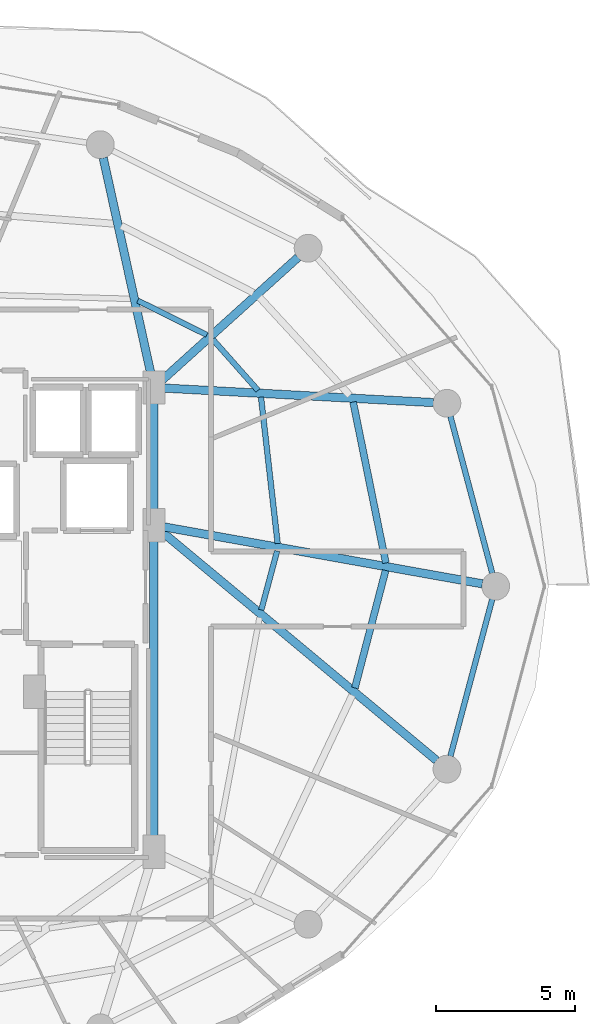
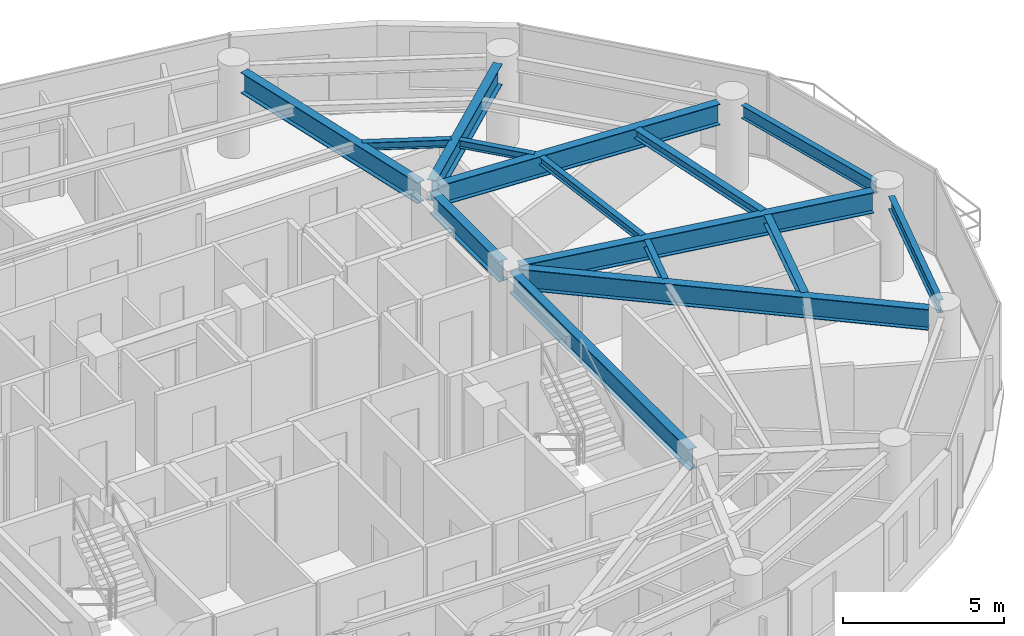
# One storey, part 12 of 28: 15 beams.
"""IFC4 building model written with IfcOpenShell, lengths in metres."""

import ifcopenshell
import ifcopenshell.guid

model = None  # the IFC model being written
_history = None  # IfcOwnerHistory: only IFC2X3 demands one
_inside = {}  # id of a spatial element -> (the spatial element, [elements in it])
_under = {}  # id of a project, library or spatial element -> (it, [spatial elements below it])
_declared = {}  # id of a project -> (the project, [libraries it declares])
_typed = {}  # id of a type object -> (the type object, [elements of that type])
_made_of = {}  # id of a material, layer set ... -> (it, [elements and type objects made of it])


def new_model(schema):
    """Start an empty IFC model of exactly this schema.

    Asked for "IFC4X3", IfcOpenShell would pick the latest addendum, in which some entities
    have other attributes; the version numbers below select the first issue.
    IFC2X3 requires an IfcOwnerHistory on every rooted entity: one is made here for all.
    """
    global model, _history
    if schema == "IFC4X3":
        model = ifcopenshell.file(schema_version=(4, 3, 0, 0))
    else:
        model = ifcopenshell.file(schema=schema)
    _inside.clear()
    _under.clear()
    _declared.clear()
    _typed.clear()
    _made_of.clear()
    _history = None
    if model.schema == "IFC2X3":
        org = make("IfcOrganization", Name="unknown")
        user = make(
            "IfcPersonAndOrganization",
            ThePerson=make("IfcPerson", FamilyName="unknown"),
            TheOrganization=org,
        )
        app = make(
            "IfcApplication",
            ApplicationDeveloper=org,
            Version="unknown",
            ApplicationFullName="unknown",
            ApplicationIdentifier="unknown",
        )
        _history = make(
            "IfcOwnerHistory",
            OwningUser=user,
            OwningApplication=app,
            ChangeAction="ADDED",
            CreationDate=0,
        )
    return model


def make(cls, **values):
    """One entity of the class cls with the attributes given. An attribute that is None is left unset."""
    return model.create_entity(
        cls, **{name: value for name, value in values.items() if value is not None}
    )


def rooted(cls, **values):
    """An entity with a GlobalId (a new one), such as an element, a storey or a relation."""
    return make(cls, GlobalId=ifcopenshell.guid.new(), OwnerHistory=_history, **values)


def si_unit(unit_type, name, prefix=None):
    """IfcSIUnit, for example si_unit("LENGTHUNIT", "METRE", prefix="MILLI")."""
    return make("IfcSIUnit", UnitType=unit_type, Prefix=prefix, Name=name)


def assignment(units):
    """IfcUnitAssignment: the units of a project."""
    return None if units is None else make("IfcUnitAssignment", Units=units)


def point(xyz):
    """IfcCartesianPoint."""
    return None if xyz is None else make("IfcCartesianPoint", Coordinates=xyz)


def direction(xyz):
    """IfcDirection."""
    return None if xyz is None else make("IfcDirection", DirectionRatios=xyz)


def frame(location, z_axis=None, x_axis=None):
    """IfcAxis2Placement3D, a coordinate frame: its origin and axes. An axis left out is left unset."""
    return make(
        "IfcAxis2Placement3D",
        Location=point(location),
        Axis=direction(z_axis),
        RefDirection=direction(x_axis),
    )


def frame_2d(location, x_axis=None):
    """IfcAxis2Placement2D, a coordinate frame in the plane: its origin and x axis."""
    return make(
        "IfcAxis2Placement2D", Location=point(location), RefDirection=direction(x_axis)
    )


def origin():
    """The frame at (0, 0, 0) with its axes left unset."""
    return frame((0.0, 0.0, 0.0))


def origin_2d():
    """The frame at (0, 0) in the plane with its x axis left unset."""
    return frame_2d((0.0, 0.0))


def place(relative_to, where):
    """IfcLocalPlacement: puts the frame where relative to a parent placement (None: the world)."""
    return make(
        "IfcLocalPlacement", PlacementRelTo=relative_to, RelativePlacement=where
    )


def context(
    kind, dimensions, precision=None, world=None, true_north=None, identifier=None
):
    """IfcGeometricRepresentationContext, for example the 3D "Model" context."""
    return make(
        "IfcGeometricRepresentationContext",
        ContextIdentifier=identifier,
        ContextType=kind,
        CoordinateSpaceDimension=dimensions,
        Precision=precision,
        WorldCoordinateSystem=world,
        TrueNorth=true_north,
    )


def subcontext(parent, identifier, kind, view, scale=None):
    """IfcGeometricRepresentationSubContext, for example "Body" below "Model"."""
    return make(
        "IfcGeometricRepresentationSubContext",
        ContextIdentifier=identifier,
        ContextType=kind,
        ParentContext=parent,
        TargetScale=scale,
        TargetView=view,
    )


def project(units=None, contexts=None):
    """IfcProject with its units and contexts."""
    return rooted(
        "IfcProject",
        Name="project",
        RepresentationContexts=contexts,
        UnitsInContext=assignment(units),
    )


def spatial(cls, under=None, at=None, **own):
    """A site, building, storey or space (cls), placed at a placement, below another one or the project."""
    s = rooted(cls, ObjectPlacement=at, **own)
    if under is not None:
        _under.setdefault(under.id(), (under, []))[1].append(s)
    return s


def profile(cls, at=None, kind="AREA", **sizes):
    """A parametric profile (cls). Its sizes go by their IFC names, for example OverallWidth=200.0."""
    return make(cls, ProfileType=kind, Position=at, **sizes)


def i_section(**sizes):
    """IfcIShapeProfileDef."""
    return profile("IfcIShapeProfileDef", **sizes)


def extrude(swept, where, along, depth):
    """IfcExtrudedAreaSolid: the profile swept, set in the frame where, extruded along a direction by depth."""
    return make(
        "IfcExtrudedAreaSolid",
        SweptArea=swept,
        Position=where,
        ExtrudedDirection=direction(along),
        Depth=depth,
    )


def shape(context_of_items, identifier, shape_type, items):
    """IfcShapeRepresentation: the items that make up one representation, for example the "Body"."""
    return make(
        "IfcShapeRepresentation",
        ContextOfItems=context_of_items,
        RepresentationIdentifier=identifier,
        RepresentationType=shape_type,
        Items=items,
    )


def material(Name=None, Category=None):
    """IfcMaterial."""
    return make("IfcMaterial", Name=Name, Category=Category)


def material_profile(
    of_material, cross_section, Name=None, Category=None, Priority=None
):
    """IfcMaterialProfile: a cross section and its material."""
    return make(
        "IfcMaterialProfile",
        Name=Name,
        Material=of_material,
        Profile=cross_section,
        Priority=Priority,
        Category=Category,
    )


def profile_set(profiles, Name=None, composite=None):
    """IfcMaterialProfileSet."""
    return make(
        "IfcMaterialProfileSet",
        Name=Name,
        MaterialProfiles=profiles,
        CompositeProfile=composite,
    )


def made_of(thing, what):
    """Note that an element or type object is made of a material, layer set ...; save() writes the relation."""
    if what is not None:
        _made_of.setdefault(what.id(), (what, []))[1].append(thing)
    return thing


def type_object(cls, material=None, **own):
    """A type object (cls), such as IfcWallType, which elements share."""
    return made_of(rooted(cls, **own), material)


def element(
    cls,
    number,
    at=None,
    inside=None,
    cuts=None,
    type_object=None,
    material=None,
    context=None,
    identifier="Body",
    shape_type=None,
    held_by="IfcProductDefinitionShape",
    body=None,
    shapes=None,
    **own,
):
    """One element of the class cls, such as IfcWall. Its Tag is "e" and its number.

    at: its placement. inside: the storey or other place that contains it. cuts: it is an
    opening in that element (IfcRelVoidsElement). A single representation is given by context,
    identifier, shape_type and body (its items); several are given by shapes. held_by: the class
    of the entity that holds the representations. save() writes the other relations.
    """
    e = rooted(cls, Tag="e%d" % number, ObjectPlacement=at, **own)
    if body is not None:
        shapes = [shape(context, identifier, shape_type, body)]
    if shapes is not None:
        e.Representation = make(held_by, Representations=shapes)
    if inside is not None:
        _inside.setdefault(inside.id(), (inside, []))[1].append(e)
    if cuts is not None:
        rooted(
            "IfcRelVoidsElement", RelatingBuildingElement=cuts, RelatedOpeningElement=e
        )
    if type_object is not None:
        _typed.setdefault(type_object.id(), (type_object, []))[1].append(e)
    return made_of(e, material)


def aggregate(whole, parts):
    """IfcRelAggregates: a whole, such as a stair, and the parts it consists of."""
    return rooted("IfcRelAggregates", RelatingObject=whole, RelatedObjects=parts)


def save(model, path):
    """Write the relations noted so far, then the file.

    IfcRelAggregates (storeys below a building ...), IfcRelContainedInSpatialStructure (elements
    in a storey), IfcRelDefinesByType, IfcRelAssociatesMaterial and IfcRelDeclares: one each for
    every whole, place, type object, material and project.
    """
    for whole, parts in _under.values():
        aggregate(whole, parts)
    for where, things in _inside.values():
        rooted(
            "IfcRelContainedInSpatialStructure",
            RelatedElements=things,
            RelatingStructure=where,
        )
    for kind, things in _typed.values():
        rooted("IfcRelDefinesByType", RelatedObjects=things, RelatingType=kind)
    for what, things in _made_of.values():
        rooted("IfcRelAssociatesMaterial", RelatedObjects=things, RelatingMaterial=what)
    for by, libraries in _declared.values():
        rooted("IfcRelDeclares", RelatingContext=by, RelatedDefinitions=libraries)
    model.write(path)


model = new_model("IFC4")

# Units and contexts
model_context = context("Model", 3, precision=1e-05, world=origin(), true_north=direction((0.0, 1.0)))
body_context = subcontext(model_context, "Body", "Model", "MODEL_VIEW")
ifc_project = project(units=[si_unit("LENGTHUNIT", "METRE"), si_unit("AREAUNIT", "SQUARE_METRE"), si_unit("VOLUMEUNIT", "CUBIC_METRE"), si_unit("PLANEANGLEUNIT", "RADIAN"), si_unit("MASSUNIT", "GRAM", prefix="KILO")], contexts=[model_context])

# Site, building, storey
site_placement = place(None, origin())
site = spatial("IfcSite", under=ifc_project, at=site_placement, CompositionType="ELEMENT")
building_placement = place(site_placement, origin())
building = spatial("IfcBuilding", under=site, at=building_placement, Name="Vorneva Point Tower", CompositionType="ELEMENT")
storey_placement = place(building_placement, frame((0.0, 0.0, 160.60009765625)))
storey = spatial("IfcBuildingStorey", under=building, at=storey_placement, Name="L43", CompositionType="ELEMENT", Elevation=160.60009765625)

# Beams
ifc_material = material(Name="Steel S355", Category="steel")
ifc_material_profile_1 = material_profile(ifc_material, i_section(OverallWidth=0.300048828125, OverallDepth=0.7880859375, WebThickness=0.014404296875, FlangeThickness=0.02197265625, at=origin_2d()), Name="80Sh1")
ifc_profile_set_1 = profile_set([ifc_material_profile_1], Name="Steel S355")
beam_type_1 = type_object("IfcBeamType", Name="BM-GRD-80Sh1", PredefinedType="USERDEFINED", material=ifc_profile_set_1)
beam_1_placement = place(storey_placement, frame((60.569580078125, 26.0859375, 2.845947265625), z_axis=(-0.984378132756, 0.176067293249, 0.0), x_axis=(-0.176067293249, -0.984378132756, 0.0)))
element("IfcBeam", 1, at=beam_1_placement, inside=storey, type_object=beam_type_1, Name="L43 Radial Primary Girder 01", ObjectType="GIRDER", PredefinedType="USERDEFINED", context=body_context, shape_type="SweptSolid", body=[
    extrude(i_section(OverallWidth=0.300048828125, OverallDepth=0.7880859375, WebThickness=0.014404296875, FlangeThickness=0.02197265625, at=origin_2d()), origin(), (0.0, 0.0, 1.0), 11.667236328125),
])
beam_2_placement = place(storey_placement, frame((58.80810546875, 32.6083984375, 2.845947265625), z_axis=(-0.998554051908, 0.053756910424, 0.0), x_axis=(-0.053756910424, -0.998554051908, 0.0)))
element("IfcBeam", 2, at=beam_2_placement, inside=storey, type_object=beam_type_1, Name="L43 Radial Primary Girder 02", ObjectType="GIRDER", PredefinedType="USERDEFINED", context=body_context, shape_type="SweptSolid", body=[
    extrude(i_section(OverallWidth=0.300048828125, OverallDepth=0.7880859375, WebThickness=0.014404296875, FlangeThickness=0.02197265625, at=origin_2d()), origin(), (0.0, 0.0, 1.0), 9.732666015625),
])
beam_3_placement = place(storey_placement, frame((53.936767578125, 37.835205078125, 2.845947265625), z_axis=(-0.742084379637, -0.670306477292, 0.0), x_axis=(0.670306477292, -0.742084379637, 0.0)))
element("IfcBeam", 3, at=beam_3_placement, inside=storey, type_object=beam_type_1, Name="L43 Radial Primary Girder 03", ObjectType="GIRDER", PredefinedType="USERDEFINED", context=body_context, shape_type="SweptSolid", body=[
    extrude(i_section(OverallWidth=0.300048828125, OverallDepth=0.7880859375, WebThickness=0.014404296875, FlangeThickness=0.02197265625, at=origin_2d()), origin(), (0.0, 0.0, 1.0), 6.649658203125),
])
beam_4_placement = place(storey_placement, frame((46.926025390625, 41.414306640625, 2.845947265625), z_axis=(0.215520500859, -0.976499315775, 0.0), x_axis=(0.976499315775, 0.215520500859, 0.0)))
element("IfcBeam", 4, at=beam_4_placement, inside=storey, type_object=beam_type_1, Name="L43 Radial Primary Girder 04", ObjectType="GIRDER", PredefinedType="USERDEFINED", context=body_context, shape_type="SweptSolid", body=[
    extrude(i_section(OverallWidth=0.300048828125, OverallDepth=0.7880859375, WebThickness=0.014404296875, FlangeThickness=0.02197265625, at=origin_2d()), origin(), (0.0, 0.0, 1.0), 8.123291015625),
])
beam_5_placement = place(storey_placement, frame((58.92041015625, 19.72998046875, 2.845947265625), z_axis=(-0.76841987547, 0.639946009428, 0.0), x_axis=(-0.639946009428, -0.76841987547, 0.0)))
element("IfcBeam", 5, at=beam_5_placement, inside=storey, type_object=beam_type_1, Name="L43 Radial Primary Girder 16", ObjectType="GIRDER", PredefinedType="USERDEFINED", context=body_context, shape_type="SweptSolid", body=[
    extrude(i_section(OverallWidth=0.300048828125, OverallDepth=0.7880859375, WebThickness=0.014404296875, FlangeThickness=0.02197265625, at=origin_2d()), origin(), (0.0, 0.0, 1.0), 12.8955078125),
])
beam_6_placement = place(storey_placement, frame((48.75, 16.77001953125, 2.845947265625), z_axis=(0.0, 1.0, 0.0), x_axis=(-1.0, 0.0, 0.0)))
element("IfcBeam", 6, at=beam_6_placement, inside=storey, type_object=beam_type_1, Name="L43 Core Tie Girder CT3", ObjectType="GIRDER", PredefinedType="USERDEFINED", context=body_context, shape_type="SweptSolid", body=[
    extrude(i_section(OverallWidth=0.300048828125, OverallDepth=0.7880859375, WebThickness=0.014404296875, FlangeThickness=0.02197265625, at=origin_2d()), origin(), (0.0, 0.0, 1.0), 11.10986328125),
])
beam_7_placement = place(storey_placement, frame((48.75, 28.52001953125, 2.845947265625), z_axis=(0.0, 1.0, 0.0), x_axis=(-1.0, 0.0, 0.0)))
element("IfcBeam", 7, at=beam_7_placement, inside=storey, type_object=beam_type_1, Name="L43 Core Tie Girder CT4", ObjectType="GIRDER", PredefinedType="USERDEFINED", context=body_context, shape_type="SweptSolid", body=[
    extrude(i_section(OverallWidth=0.300048828125, OverallDepth=0.7880859375, WebThickness=0.014404296875, FlangeThickness=0.02197265625, at=origin_2d()), origin(), (0.0, 0.0, 1.0), 4.31005859375),
])
ifc_material_profile_2 = material_profile(ifc_material, i_section(OverallWidth=0.199951171875, OverallDepth=0.291015625, WebThickness=0.008056640625, FlangeThickness=0.010986328125, at=origin_2d()), Name="30Sh1")
ifc_profile_set_2 = profile_set([ifc_material_profile_2], Name="Steel S355")
beam_type_2 = type_object("IfcBeamType", Name="BM-SEC-30Sh1", PredefinedType="BEAM", material=ifc_profile_set_2)
beam_8_placement = place(storey_placement, frame((53.20361328125, 27.53759765625, 3.094482421875), z_axis=(-0.113124562524, 0.993580813701, 0.0), x_axis=(-0.993580813701, -0.113124562524, 0.0)))
element("IfcBeam", 8, at=beam_8_placement, inside=storey, type_object=beam_type_2, Name="L43 Secondary Floor Beam 2.01", PredefinedType="BEAM", context=body_context, shape_type="SweptSolid", body=[
    extrude(i_section(OverallWidth=0.199951171875, OverallDepth=0.291015625, WebThickness=0.008056640625, FlangeThickness=0.010986328125, at=origin_2d()), origin(), (0.0, 0.0, 1.0), 5.302490234375),
])
beam_9_placement = place(storey_placement, frame((52.49658203125, 33.04638671875, 3.094482421875), z_axis=(-0.66365236786, 0.748041131646, 0.0), x_axis=(-0.748041131646, -0.66365236786, 0.0)))
element("IfcBeam", 9, at=beam_9_placement, inside=storey, type_object=beam_type_2, Name="L43 Secondary Floor Beam 2.02", PredefinedType="BEAM", context=body_context, shape_type="SweptSolid", body=[
    extrude(i_section(OverallWidth=0.199951171875, OverallDepth=0.291015625, WebThickness=0.008056640625, FlangeThickness=0.010986328125, at=origin_2d()), origin(), (0.0, 0.0, 1.0), 2.450439453125),
])
beam_10_placement = place(storey_placement, frame((50.655029296875, 35.043701171875, 3.094482421875), z_axis=(-0.895831018968, 0.444394853092, 0.0), x_axis=(-0.444394853092, -0.895831018968, 0.0)))
element("IfcBeam", 10, at=beam_10_placement, inside=storey, type_object=beam_type_2, Name="L43 Secondary Floor Beam 2.03", PredefinedType="BEAM", context=body_context, shape_type="SweptSolid", body=[
    extrude(i_section(OverallWidth=0.199951171875, OverallDepth=0.291015625, WebThickness=0.008056640625, FlangeThickness=0.010986328125, at=origin_2d()), origin(), (0.0, 0.0, 1.0), 2.77392578125),
])
beam_11_placement = place(storey_placement, frame((52.6142578125, 25.14501953125, 3.094482421875), z_axis=(0.259100758483, 0.965850297382, 0.0), x_axis=(-0.965850297382, 0.259100758483, 0.0)))
element("IfcBeam", 11, at=beam_11_placement, inside=storey, type_object=beam_type_2, Name="L43 Secondary Floor Beam 2.16", PredefinedType="BEAM", context=body_context, shape_type="SweptSolid", body=[
    extrude(i_section(OverallWidth=0.199951171875, OverallDepth=0.291015625, WebThickness=0.008056640625, FlangeThickness=0.010986328125, at=origin_2d()), origin(), (0.0, 0.0, 1.0), 2.197265625),
])
ifc_material_profile_3 = material_profile(ifc_material, i_section(OverallWidth=0.2490234375, OverallDepth=0.333984375, WebThickness=0.008056640625, FlangeThickness=0.010986328125, at=origin_2d()), Name="35Sh1")
ifc_profile_set_3 = profile_set([ifc_material_profile_3], Name="Steel S355")
beam_type_3 = type_object("IfcBeamType", Name="BM-SEC-35Sh1", PredefinedType="BEAM", material=ifc_profile_set_3)
beam_12_placement = place(storey_placement, frame((57.0966796875, 26.83740234375, 3.072998046875), z_axis=(-0.199077897851, 0.979983668531, 0.0), x_axis=(-0.979983668531, -0.199077897851, 0.0)))
element("IfcBeam", 12, at=beam_12_placement, inside=storey, type_object=beam_type_3, Name="L43 Secondary Floor Beam 1.01", PredefinedType="BEAM", context=body_context, shape_type="SweptSolid", body=[
    extrude(i_section(OverallWidth=0.2490234375, OverallDepth=0.333984375, WebThickness=0.008056640625, FlangeThickness=0.010986328125, at=origin_2d()), origin(), (0.0, 0.0, 1.0), 5.9111328125),
])
beam_13_placement = place(storey_placement, frame((55.982666015625, 22.33935546875, 3.072998046875), z_axis=(0.253099315656, 0.967440301215, 0.0), x_axis=(-0.967440301215, 0.253099315656, 0.0)))
element("IfcBeam", 13, at=beam_13_placement, inside=storey, type_object=beam_type_3, Name="L43 Secondary Floor Beam 1.16", PredefinedType="BEAM", context=body_context, shape_type="SweptSolid", body=[
    extrude(i_section(OverallWidth=0.2490234375, OverallDepth=0.333984375, WebThickness=0.008056640625, FlangeThickness=0.010986328125, at=origin_2d()), origin(), (0.0, 0.0, 1.0), 4.37158203125),
])
ifc_material_profile_4 = material_profile(ifc_material, i_section(OverallWidth=0.199951171875, OverallDepth=0.491943359375, WebThickness=0.0087890625, FlangeThickness=0.011962890625, at=origin_2d()), Name="50B1")
ifc_profile_set_4 = profile_set([ifc_material_profile_4], Name="Steel S355")
beam_type_4 = type_object("IfcBeamType", Name="BM-SPN-50B1", PredefinedType="SPANDREL", material=ifc_profile_set_4)
for number, where, z_axis, x_axis, name in (
    (14, (60.925048828125, 26.468505859375, 2.993896484375), (-0.257550804648, 0.966264758245, 0.0), (-0.966264758245, -0.257550804648, 0.0), "L43 Perimeter Spandrel Ring Beam 01"),
    (15, (59.42041015625, 19.886474609375, 2.993896484375), (0.257550804648, 0.966264758245, 0.0), (-0.966264758245, 0.257550804648, 0.0), "L43 Perimeter Spandrel Ring Beam 16"),
):
    element("IfcBeam", number, at=place(storey_placement, frame(where, z_axis=z_axis, x_axis=x_axis)), inside=storey, type_object=beam_type_4, Name=name, PredefinedType="SPANDREL", context=body_context, shape_type="SweptSolid", body=[
        extrude(i_section(OverallWidth=0.199951171875, OverallDepth=0.491943359375, WebThickness=0.0087890625, FlangeThickness=0.011962890625, at=origin_2d()), origin(), (0.0, 0.0, 1.0), 5.842041015625),
    ])

save(model, "model.ifc")
